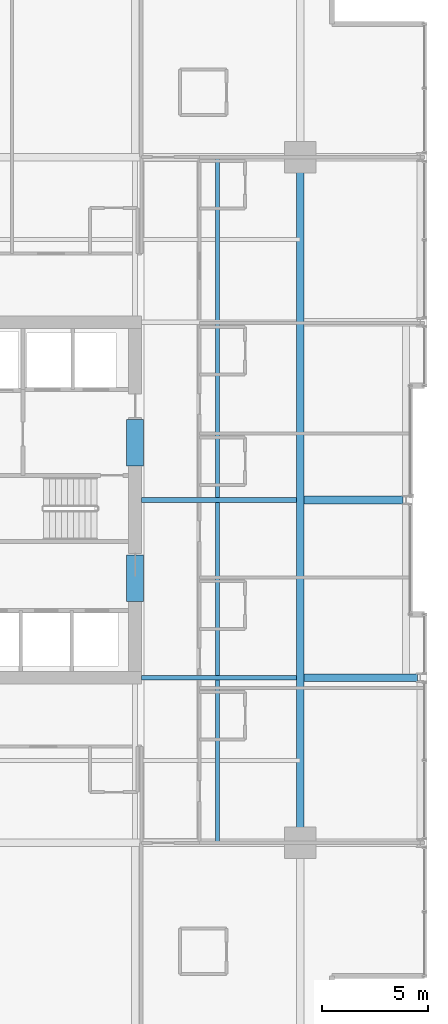
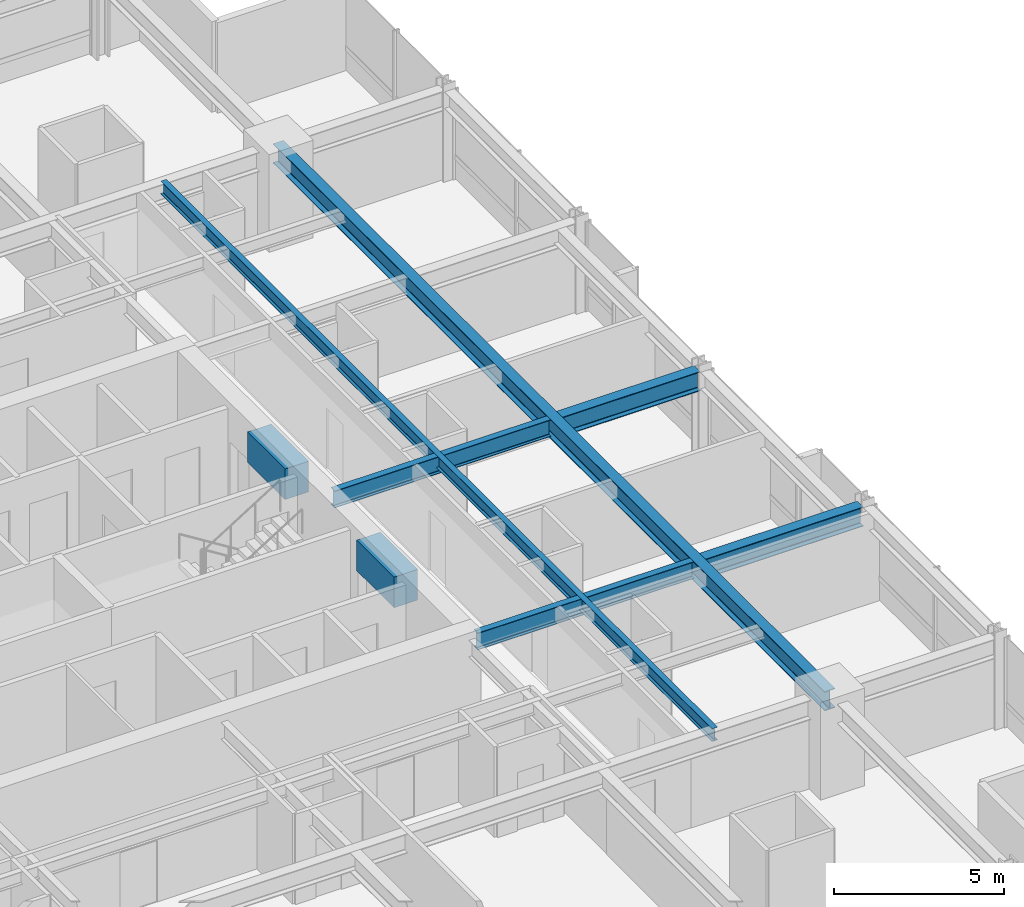
# One storey, part 14 of 35: 8 beams.
"""IFC4 building model written with IfcOpenShell, lengths in metres."""

from ifc_helpers import new_model, si_unit, direction, frame, origin, origin_2d, place, context, subcontext, project, spatial, rectangle, i_section, extrude, material, material_profile, profile_set, type_object, element, save


model = new_model("IFC4")

# Units and contexts
model_context = context("Model", 3, precision=1e-05, world=origin(), true_north=direction((0.0, 1.0)))
body_context = subcontext(model_context, "Body", "Model", "MODEL_VIEW")
ifc_project = project(units=[si_unit("LENGTHUNIT", "METRE"), si_unit("AREAUNIT", "SQUARE_METRE"), si_unit("VOLUMEUNIT", "CUBIC_METRE"), si_unit("PLANEANGLEUNIT", "RADIAN"), si_unit("MASSUNIT", "GRAM", prefix="KILO")], contexts=[model_context])

# Site, building, storey
site_placement = place(None, origin())
site = spatial("IfcSite", under=ifc_project, at=site_placement, CompositionType="ELEMENT")
building_placement = place(site_placement, origin())
building = spatial("IfcBuilding", under=site, at=building_placement, Name="Drelvath Grand Hotel", CompositionType="ELEMENT")
storey_placement = place(building_placement, frame((0.0, 0.0, 123.300048828125)))
storey = spatial("IfcBuildingStorey", under=building, at=storey_placement, Name="L31", CompositionType="ELEMENT", Elevation=123.300048828125)

# Beams
ifc_material_1 = material(Name="Steel ASTM A992 Gr 50", Category="steel")
ifc_material_profile_1 = material_profile(ifc_material_1, i_section(OverallWidth=0.19140625, OverallDepth=0.4599609375, WebThickness=0.010009765625, FlangeThickness=0.01611328125, FilletRadius=0.01611328125, at=origin_2d()), Name="W18X55")
ifc_profile_set_1 = profile_set([ifc_material_profile_1], Name="Steel ASTM A992 Gr 50")
beam_type_1 = type_object("IfcBeamType", Name="Composite Floor Joist W18X55", PredefinedType="JOIST", material=ifc_profile_set_1)
beam_1_placement = place(storey_placement, frame((12.300048828125, 10.800048828125, 3.010009765625), z_axis=(0.0, 1.0, 0.0), x_axis=(-1.0, 0.0, 0.0)))
element("IfcBeam", 1, at=beam_1_placement, inside=storey, type_object=beam_type_1, Name="L31 Wing Floor Joist J4", PredefinedType="JOIST", context=body_context, shape_type="SweptSolid", body=[
    extrude(i_section(OverallWidth=0.19140625, OverallDepth=0.4599609375, WebThickness=0.010009765625, FlangeThickness=0.01611328125, FilletRadius=0.01611328125, at=origin_2d()), origin(), (0.0, 0.0, 1.0), 32.39990234375),
])
ifc_material_2 = material(Name="Concrete f'c 70 MPa", Category="concrete")
ifc_material_profile_2 = material_profile(ifc_material_2, rectangle(XDim=0.800048828125, YDim=1.10009765625, at=origin_2d()), Name="CB800X1100")
ifc_profile_set_2 = profile_set([ifc_material_profile_2], Name="Concrete f'c 70 MPa")
beam_type_2 = type_object("IfcBeamType", Name="Core Coupling Lintel CB800X1100", PredefinedType="LINTEL", material=ifc_profile_set_2)
for number, where, z_axis, x_axis, name in (
    (2, (8.39990234375, 22.199951171875, 2.68994140625), (0.0, 1.0, 0.0), (-1.0, 0.0, 0.0), "L31 Core Coupling Lintel ES"),
    (3, (8.39990234375, 28.60009765625, 2.68994140625), (0.0, 1.0, 0.0), (-1.0, 0.0, 0.0), "L31 Core Coupling Lintel EN"),
):
    element("IfcBeam", number, at=place(storey_placement, frame(where, z_axis=z_axis, x_axis=x_axis)), inside=storey, type_object=beam_type_2, Name=name, PredefinedType="LINTEL", context=body_context, shape_type="SweptSolid", body=[
        extrude(rectangle(XDim=0.800048828125, YDim=1.10009765625, at=origin_2d()), origin(), (0.0, 0.0, 1.0), 2.199951171875),
    ])
ifc_material_profile_3 = material_profile(ifc_material_1, i_section(OverallWidth=0.228271484375, OverallDepth=0.607666015625, WebThickness=0.01123046875, FlangeThickness=0.017333984375, FilletRadius=0.02001953125, at=origin_2d()), Name="W24X76")
ifc_profile_set_3 = profile_set([ifc_material_profile_3], Name="Steel ASTM A992 Gr 50")
beam_type_3 = type_object("IfcBeamType", Name="Primary Floor Girder W24X76", PredefinedType="BEAM", material=ifc_profile_set_3)
for number, where, z_axis, x_axis, name in (
    (4, (8.699951171875, 18.60009765625, 2.93603515625), (1.0, 0.0, 0.0), (0.0, 1.0, 0.0), "L31 East Core Tie D"),
    (5, (8.699951171875, 27.0, 2.93603515625), (1.0, 0.0, 0.0), (0.0, 1.0, 0.0), "L31 East Core Tie E"),
):
    element("IfcBeam", number, at=place(storey_placement, frame(where, z_axis=z_axis, x_axis=x_axis)), inside=storey, type_object=beam_type_3, Name=name, PredefinedType="BEAM", context=body_context, shape_type="SweptSolid", body=[
        extrude(i_section(OverallWidth=0.228271484375, OverallDepth=0.607666015625, WebThickness=0.01123046875, FlangeThickness=0.017333984375, FilletRadius=0.02001953125, at=origin_2d()), origin(), (0.0, 0.0, 1.0), 7.32275390625),
    ])
ifc_material_profile_4 = material_profile(ifc_material_1, i_section(OverallWidth=0.354736328125, OverallDepth=0.695556640625, WebThickness=0.015380859375, FlangeThickness=0.025146484375, FilletRadius=0.02392578125, at=origin_2d()), Name="W27X146")
ifc_profile_set_4 = profile_set([ifc_material_profile_4], Name="Steel ASTM A992 Gr 50")
beam_type_4 = type_object("IfcBeamType", Name="Primary Floor Girder W27X146", PredefinedType="BEAM", material=ifc_profile_set_4)
beam_2_placement = place(storey_placement, frame((16.199951171875, 10.800048828125, 2.892333984375), z_axis=(0.0, 1.0, 0.0), x_axis=(-1.0, 0.0, 0.0)))
element("IfcBeam", 6, at=beam_2_placement, inside=storey, type_object=beam_type_4, Name="L31 Mega Ring Girder East", PredefinedType="BEAM", context=body_context, shape_type="SweptSolid", body=[
    extrude(i_section(OverallWidth=0.354736328125, OverallDepth=0.695556640625, WebThickness=0.015380859375, FlangeThickness=0.025146484375, FilletRadius=0.02392578125, at=origin_2d()), origin(), (0.0, 0.0, 1.0), 32.39990234375),
])
beam_3_placement = place(storey_placement, frame((16.37744140625, 18.60009765625, 2.892333984375), z_axis=(1.0, 0.0, 0.0), x_axis=(0.0, 1.0, 0.0)))
element("IfcBeam", 7, at=beam_3_placement, inside=storey, type_object=beam_type_4, Name="L31 East Wing Girder D", PredefinedType="BEAM", context=body_context, shape_type="SweptSolid", body=[
    extrude(i_section(OverallWidth=0.354736328125, OverallDepth=0.695556640625, WebThickness=0.015380859375, FlangeThickness=0.025146484375, FilletRadius=0.02392578125, at=origin_2d()), origin(), (0.0, 0.0, 1.0), 5.362548828125),
])
beam_4_placement = place(storey_placement, frame((16.37744140625, 27.0, 2.892333984375), z_axis=(1.0, 0.0, 0.0), x_axis=(0.0, 1.0, 0.0)))
element("IfcBeam", 8, at=beam_4_placement, inside=storey, type_object=beam_type_4, Name="L31 East Wing Girder E", PredefinedType="BEAM", context=body_context, shape_type="SweptSolid", body=[
    extrude(i_section(OverallWidth=0.354736328125, OverallDepth=0.695556640625, WebThickness=0.015380859375, FlangeThickness=0.025146484375, FilletRadius=0.02392578125, at=origin_2d()), origin(), (0.0, 0.0, 1.0), 4.6826171875),
])

save(model, "model.ifc")
